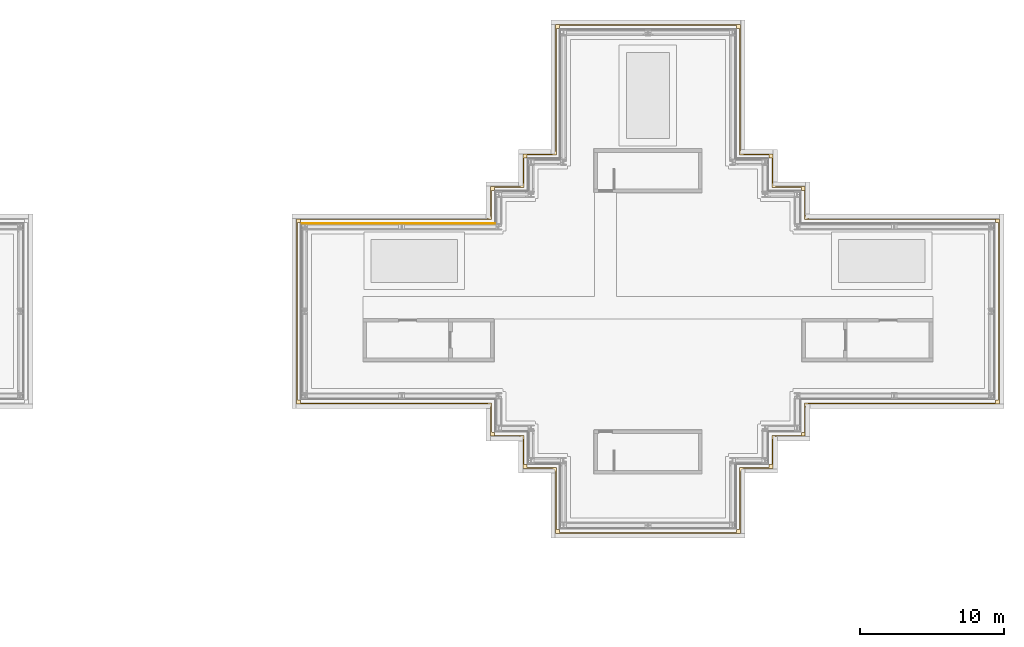
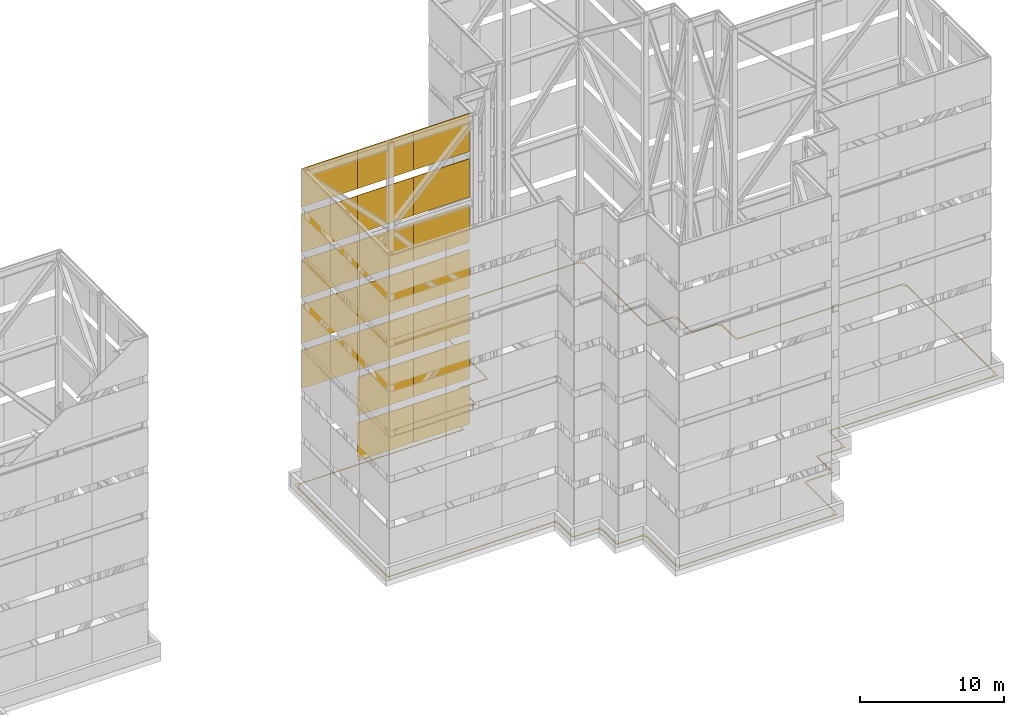
# One storey, part 16 of 19: 20 coverings.
"""IFC4 building model written with IfcOpenShell, lengths in metres."""

import ifcopenshell
import ifcopenshell.guid

model = None  # the IFC model being written
_history = None  # IfcOwnerHistory: only IFC2X3 demands one
_inside = {}  # id of a spatial element -> (the spatial element, [elements in it])
_under = {}  # id of a project, library or spatial element -> (it, [spatial elements below it])
_declared = {}  # id of a project -> (the project, [libraries it declares])
_typed = {}  # id of a type object -> (the type object, [elements of that type])
_made_of = {}  # id of a material, layer set ... -> (it, [elements and type objects made of it])


def new_model(schema):
    """Start an empty IFC model of exactly this schema.

    Asked for "IFC4X3", IfcOpenShell would pick the latest addendum, in which some entities
    have other attributes; the version numbers below select the first issue.
    IFC2X3 requires an IfcOwnerHistory on every rooted entity: one is made here for all.
    """
    global model, _history
    if schema == "IFC4X3":
        model = ifcopenshell.file(schema_version=(4, 3, 0, 0))
    else:
        model = ifcopenshell.file(schema=schema)
    _inside.clear()
    _under.clear()
    _declared.clear()
    _typed.clear()
    _made_of.clear()
    _history = None
    if model.schema == "IFC2X3":
        org = make("IfcOrganization", Name="unknown")
        user = make(
            "IfcPersonAndOrganization",
            ThePerson=make("IfcPerson", FamilyName="unknown"),
            TheOrganization=org,
        )
        app = make(
            "IfcApplication",
            ApplicationDeveloper=org,
            Version="unknown",
            ApplicationFullName="unknown",
            ApplicationIdentifier="unknown",
        )
        _history = make(
            "IfcOwnerHistory",
            OwningUser=user,
            OwningApplication=app,
            ChangeAction="ADDED",
            CreationDate=0,
        )
    return model


def make(cls, **values):
    """One entity of the class cls with the attributes given. An attribute that is None is left unset."""
    return model.create_entity(
        cls, **{name: value for name, value in values.items() if value is not None}
    )


def rooted(cls, **values):
    """An entity with a GlobalId (a new one), such as an element, a storey or a relation."""
    return make(cls, GlobalId=ifcopenshell.guid.new(), OwnerHistory=_history, **values)


def si_unit(unit_type, name, prefix=None):
    """IfcSIUnit, for example si_unit("LENGTHUNIT", "METRE", prefix="MILLI")."""
    return make("IfcSIUnit", UnitType=unit_type, Prefix=prefix, Name=name)


def assignment(units):
    """IfcUnitAssignment: the units of a project."""
    return None if units is None else make("IfcUnitAssignment", Units=units)


def point(xyz):
    """IfcCartesianPoint."""
    return None if xyz is None else make("IfcCartesianPoint", Coordinates=xyz)


def direction(xyz):
    """IfcDirection."""
    return None if xyz is None else make("IfcDirection", DirectionRatios=xyz)


def frame(location, z_axis=None, x_axis=None):
    """IfcAxis2Placement3D, a coordinate frame: its origin and axes. An axis left out is left unset."""
    return make(
        "IfcAxis2Placement3D",
        Location=point(location),
        Axis=direction(z_axis),
        RefDirection=direction(x_axis),
    )


def frame_2d(location, x_axis=None):
    """IfcAxis2Placement2D, a coordinate frame in the plane: its origin and x axis."""
    return make(
        "IfcAxis2Placement2D", Location=point(location), RefDirection=direction(x_axis)
    )


def origin():
    """The frame at (0, 0, 0) with its axes left unset."""
    return frame((0.0, 0.0, 0.0))


def origin_2d():
    """The frame at (0, 0) in the plane with its x axis left unset."""
    return frame_2d((0.0, 0.0))


def place(relative_to, where):
    """IfcLocalPlacement: puts the frame where relative to a parent placement (None: the world)."""
    return make(
        "IfcLocalPlacement", PlacementRelTo=relative_to, RelativePlacement=where
    )


def context(
    kind, dimensions, precision=None, world=None, true_north=None, identifier=None
):
    """IfcGeometricRepresentationContext, for example the 3D "Model" context."""
    return make(
        "IfcGeometricRepresentationContext",
        ContextIdentifier=identifier,
        ContextType=kind,
        CoordinateSpaceDimension=dimensions,
        Precision=precision,
        WorldCoordinateSystem=world,
        TrueNorth=true_north,
    )


def subcontext(parent, identifier, kind, view, scale=None):
    """IfcGeometricRepresentationSubContext, for example "Body" below "Model"."""
    return make(
        "IfcGeometricRepresentationSubContext",
        ContextIdentifier=identifier,
        ContextType=kind,
        ParentContext=parent,
        TargetScale=scale,
        TargetView=view,
    )


def project(units=None, contexts=None):
    """IfcProject with its units and contexts."""
    return rooted(
        "IfcProject",
        Name="project",
        RepresentationContexts=contexts,
        UnitsInContext=assignment(units),
    )


def spatial(cls, under=None, at=None, **own):
    """A site, building, storey or space (cls), placed at a placement, below another one or the project."""
    s = rooted(cls, ObjectPlacement=at, **own)
    if under is not None:
        _under.setdefault(under.id(), (under, []))[1].append(s)
    return s


def polyline(points):
    """IfcPolyline through the points."""
    return make("IfcPolyline", Points=[point(p) for p in points])


def profile(cls, at=None, kind="AREA", **sizes):
    """A parametric profile (cls). Its sizes go by their IFC names, for example OverallWidth=200.0."""
    return make(cls, ProfileType=kind, Position=at, **sizes)


def rectangle(**sizes):
    """IfcRectangleProfileDef."""
    return profile("IfcRectangleProfileDef", **sizes)


def outline(outer, holes=None, kind="AREA"):
    """IfcArbitraryClosedProfileDef: a profile drawn as a closed curve; with holes, ...WithVoids."""
    if holes is None:
        return make("IfcArbitraryClosedProfileDef", ProfileType=kind, OuterCurve=outer)
    return make(
        "IfcArbitraryProfileDefWithVoids",
        ProfileType=kind,
        OuterCurve=outer,
        InnerCurves=holes,
    )


def extrude(swept, where, along, depth):
    """IfcExtrudedAreaSolid: the profile swept, set in the frame where, extruded along a direction by depth."""
    return make(
        "IfcExtrudedAreaSolid",
        SweptArea=swept,
        Position=where,
        ExtrudedDirection=direction(along),
        Depth=depth,
    )


def shape(context_of_items, identifier, shape_type, items):
    """IfcShapeRepresentation: the items that make up one representation, for example the "Body"."""
    return make(
        "IfcShapeRepresentation",
        ContextOfItems=context_of_items,
        RepresentationIdentifier=identifier,
        RepresentationType=shape_type,
        Items=items,
    )


def material(Name=None, Category=None):
    """IfcMaterial."""
    return make("IfcMaterial", Name=Name, Category=Category)


def layer(
    of_material, thickness, ventilated=None, Name=None, Category=None, Priority=None
):
    """IfcMaterialLayer: one layer of a wall or slab, of a material (None: an air gap)."""
    return make(
        "IfcMaterialLayer",
        Material=of_material,
        LayerThickness=thickness,
        IsVentilated=ventilated,
        Name=Name,
        Category=Category,
        Priority=Priority,
    )


def layer_set(layers, Name=None):
    """IfcMaterialLayerSet."""
    return make("IfcMaterialLayerSet", MaterialLayers=layers, LayerSetName=Name)


def made_of(thing, what):
    """Note that an element or type object is made of a material, layer set ...; save() writes the relation."""
    if what is not None:
        _made_of.setdefault(what.id(), (what, []))[1].append(thing)
    return thing


def type_object(cls, material=None, **own):
    """A type object (cls), such as IfcWallType, which elements share."""
    return made_of(rooted(cls, **own), material)


def element(
    cls,
    number,
    at=None,
    inside=None,
    cuts=None,
    type_object=None,
    material=None,
    context=None,
    identifier="Body",
    shape_type=None,
    held_by="IfcProductDefinitionShape",
    body=None,
    shapes=None,
    **own,
):
    """One element of the class cls, such as IfcWall. Its Tag is "e" and its number.

    at: its placement. inside: the storey or other place that contains it. cuts: it is an
    opening in that element (IfcRelVoidsElement). A single representation is given by context,
    identifier, shape_type and body (its items); several are given by shapes. held_by: the class
    of the entity that holds the representations. save() writes the other relations.
    """
    e = rooted(cls, Tag="e%d" % number, ObjectPlacement=at, **own)
    if body is not None:
        shapes = [shape(context, identifier, shape_type, body)]
    if shapes is not None:
        e.Representation = make(held_by, Representations=shapes)
    if inside is not None:
        _inside.setdefault(inside.id(), (inside, []))[1].append(e)
    if cuts is not None:
        rooted(
            "IfcRelVoidsElement", RelatingBuildingElement=cuts, RelatedOpeningElement=e
        )
    if type_object is not None:
        _typed.setdefault(type_object.id(), (type_object, []))[1].append(e)
    return made_of(e, material)


def aggregate(whole, parts):
    """IfcRelAggregates: a whole, such as a stair, and the parts it consists of."""
    return rooted("IfcRelAggregates", RelatingObject=whole, RelatedObjects=parts)


def save(model, path):
    """Write the relations noted so far, then the file.

    IfcRelAggregates (storeys below a building ...), IfcRelContainedInSpatialStructure (elements
    in a storey), IfcRelDefinesByType, IfcRelAssociatesMaterial and IfcRelDeclares: one each for
    every whole, place, type object, material and project.
    """
    for whole, parts in _under.values():
        aggregate(whole, parts)
    for where, things in _inside.values():
        rooted(
            "IfcRelContainedInSpatialStructure",
            RelatedElements=things,
            RelatingStructure=where,
        )
    for kind, things in _typed.values():
        rooted("IfcRelDefinesByType", RelatedObjects=things, RelatingType=kind)
    for what, things in _made_of.values():
        rooted("IfcRelAssociatesMaterial", RelatedObjects=things, RelatingMaterial=what)
    for by, libraries in _declared.values():
        rooted("IfcRelDeclares", RelatingContext=by, RelatedDefinitions=libraries)
    model.write(path)


model = new_model("IFC4")

# Units and contexts
model_context = context("Model", 3, precision=1e-05, world=origin(), true_north=direction((0.0, 1.0)))
body_context = subcontext(model_context, "Body", "Model", "MODEL_VIEW")
ifc_project = project(units=[si_unit("LENGTHUNIT", "METRE"), si_unit("AREAUNIT", "SQUARE_METRE"), si_unit("VOLUMEUNIT", "CUBIC_METRE"), si_unit("PLANEANGLEUNIT", "RADIAN"), si_unit("MASSUNIT", "GRAM", prefix="KILO")], contexts=[model_context])

# Site, building, storey
site_placement = place(None, origin())
site = spatial("IfcSite", under=ifc_project, at=site_placement, CompositionType="ELEMENT")
building_placement = place(site_placement, origin())
building = spatial("IfcBuilding", under=site, at=building_placement, Name="Shamsa Quay Exchange Towers", CompositionType="ELEMENT")
storey_placement = place(building_placement, frame((0.0, 0.0, 284.300048828125)))
storey = spatial("IfcBuildingStorey", under=building, at=storey_placement, Name="Roof", CompositionType="ELEMENT", Elevation=284.300048828125)

# Coverings
ifc_material_1 = material(Name="Aluminium EN AW-5083, dark bronze anodised, perforated", Category="aluminium")
ifc_layer_1 = layer(ifc_material_1, 0.0400390625)
ifc_layer_set_1 = layer_set([ifc_layer_1], Name="CROWN SCREEN PANEL 40")
covering_type_1 = type_object("IfcCoveringType", Name="CROWN SCREEN PANEL 40", PredefinedType="CLADDING", material=ifc_layer_set_1)
for number, where, z_axis, x_axis, name in (
    (1, (20.8818359375, 6.10302734375, 0.60009765625), (0.0, 0.0, 1.0), (-1.0, 0.0, 0.0), "SCREEN T2 CR16 tier 1"),
    (2, (16.39599609375, 6.10302734375, 0.60009765625), (0.0, 0.0, 1.0), (-1.0, 0.0, 0.0), "SCREEN T2 CR16 tier 1"),
    (3, (20.8818359375, 6.10302734375, 4.44287109375), (0.0, 0.0, 1.0), (-1.0, 0.0, 0.0), "SCREEN T2 CR16 tier 2"),
    (4, (16.39599609375, 6.10302734375, 4.44287109375), (0.0, 0.0, 1.0), (-1.0, 0.0, 0.0), "SCREEN T2 CR16 tier 2"),
    (5, (20.8818359375, 6.10302734375, 8.28564453125), (0.0, 0.0, 1.0), (-1.0, 0.0, 0.0), "SCREEN T2 CR16 tier 3"),
    (6, (16.39599609375, 6.10302734375, 8.28564453125), (0.0, 0.0, 1.0), (-1.0, 0.0, 0.0), "SCREEN T2 CR16 tier 3"),
    (7, (11.909912109375, 6.10302734375, 8.28564453125), (0.0, 0.0, 1.0), (-1.0, 0.0, 0.0), "SCREEN T2 CR16 tier 3"),
    (8, (20.8818359375, 6.10302734375, 12.12841796875), (0.0, 0.0, 1.0), (-1.0, 0.0, 0.0), "SCREEN T2 CR16 tier 4"),
    (9, (16.39599609375, 6.10302734375, 12.12841796875), (0.0, 0.0, 1.0), (-1.0, 0.0, 0.0), "SCREEN T2 CR16 tier 4"),
    (10, (11.909912109375, 6.10302734375, 12.12841796875), (0.0, 0.0, 1.0), (-1.0, 0.0, 0.0), "SCREEN T2 CR16 tier 4"),
    (11, (20.8818359375, 6.10302734375, 15.97119140625), (0.0, 0.0, 1.0), (-1.0, 0.0, 0.0), "SCREEN T2 CR16 tier 5"),
    (12, (16.39599609375, 6.10302734375, 15.97119140625), (0.0, 0.0, 1.0), (-1.0, 0.0, 0.0), "SCREEN T2 CR16 tier 5"),
    (13, (11.909912109375, 6.10302734375, 15.97119140625), (0.0, 0.0, 1.0), (-1.0, 0.0, 0.0), "SCREEN T2 CR16 tier 5"),
    (14, (20.8818359375, 6.10302734375, 19.81396484375), (0.0, 0.0, 1.0), (-1.0, 0.0, 0.0), "SCREEN T2 CR16 tier 6"),
    (15, (16.39599609375, 6.10302734375, 19.81396484375), (0.0, 0.0, 1.0), (-1.0, 0.0, 0.0), "SCREEN T2 CR16 tier 6"),
    (16, (11.909912109375, 6.10302734375, 19.81396484375), (0.0, 0.0, 1.0), (-1.0, 0.0, 0.0), "SCREEN T2 CR16 tier 6"),
    (17, (20.8818359375, 6.10302734375, 23.6572265625), (0.0, 0.0, 1.0), (-1.0, 0.0, 0.0), "SCREEN T2 CR16 tier 7"),
    (18, (16.39599609375, 6.10302734375, 23.6572265625), (0.0, 0.0, 1.0), (-1.0, 0.0, 0.0), "SCREEN T2 CR16 tier 7"),
    (19, (11.909912109375, 6.10302734375, 23.6572265625), (0.0, 0.0, 1.0), (-1.0, 0.0, 0.0), "SCREEN T2 CR16 tier 7"),
):
    element("IfcCovering", number, at=place(storey_placement, frame(where, z_axis=z_axis, x_axis=x_axis)), inside=storey, type_object=covering_type_1, Name=name, PredefinedType="CLADDING", context=body_context, shape_type="SweptSolid", body=[
        extrude(rectangle(XDim=4.486083984375, YDim=0.0400390625, at=origin_2d()), origin(), (0.0, 0.0, 1.0), 3.242919921875),
    ])
ifc_material_2 = material(Name="Bituminous waterproofing membrane with ballast")
ifc_layer_2 = layer(ifc_material_2, 0.06005859375)
ifc_layer_set_2 = layer_set([ifc_layer_2], Name="ROOF MEMBRANE 60")
covering_type_2 = type_object("IfcCoveringType", Name="ROOF MEMBRANE 60", PredefinedType="ROOFING", material=ifc_layer_set_2)
covering_placement = place(storey_placement, origin())
element("IfcCovering", 20, at=covering_placement, inside=storey, type_object=covering_type_2, Name="Roof membrane T2 1", PredefinedType="ROOFING", context=body_context, shape_type="SweptSolid", body=[
    extrude(outline(polyline([(42.62744140625, 8.704345703125), (42.6572265625, 8.69384765625), (42.6875, 8.68603515625), (42.71875, 8.681640625), (42.75, 8.679931640625), (44.679931640625, 8.679931640625), (44.679931640625, 6.75), (44.681640625, 6.71875), (44.68603515625, 6.6875), (44.69384765625, 6.6572265625), (44.704345703125, 6.62744140625), (44.7177734375, 6.59912109375), (44.73388671875, 6.572265625), (44.752685546875, 6.546875), (44.773681640625, 6.523681640625), (44.796875, 6.502685546875), (44.822265625, 6.48388671875), (44.84912109375, 6.4677734375), (44.87744140625, 6.454345703125), (44.9072265625, 6.44384765625), (44.9375, 6.43603515625), (44.96875, 6.431640625), (45.0, 6.429931640625), (58.179931640625, 6.429931640625), (58.179931640625, -6.429931640625), (45.0, -6.429931640625), (44.96875, -6.431640625), (44.9375, -6.43603515625), (44.9072265625, -6.44384765625), (44.87744140625, -6.454345703125), (44.84912109375, -6.4677734375), (44.822265625, -6.48388671875), (44.796875, -6.502685546875), (44.773681640625, -6.523681640625), (44.752685546875, -6.546875), (44.73388671875, -6.572265625), (44.7177734375, -6.59912109375), (44.704345703125, -6.62744140625), (44.69384765625, -6.6572265625), (44.68603515625, -6.6875), (44.681640625, -6.71875), (44.679931640625, -6.75), (44.679931640625, -8.679931640625), (42.75, -8.679931640625), (42.71875, -8.681640625), (42.6875, -8.68603515625), (42.6572265625, -8.69384765625), (42.62744140625, -8.704345703125), (42.59912109375, -8.7177734375), (42.572265625, -8.73388671875), (42.546875, -8.752685546875), (42.523681640625, -8.773681640625), (42.502685546875, -8.796875), (42.48388671875, -8.822265625), (42.4677734375, -8.84912109375), (42.454345703125, -8.87744140625), (42.44384765625, -8.9072265625), (42.43603515625, -8.9375), (42.431640625, -8.96875), (42.429931640625, -9.0), (42.429931640625, -10.929931640625), (40.5, -10.929931640625), (40.46875, -10.931640625), (40.4375, -10.93603515625), (40.4072265625, -10.94384765625), (40.37744140625, -10.954345703125), (40.34912109375, -10.9677734375), (40.322265625, -10.98388671875), (40.296875, -11.002685546875), (40.273681640625, -11.023681640625), (40.252685546875, -11.046875), (40.23388671875, -11.072265625), (40.2177734375, -11.09912109375), (40.204345703125, -11.12744140625), (40.19384765625, -11.1572265625), (40.18603515625, -11.1875), (40.181640625, -11.21875), (40.179931640625, -11.25), (40.179931640625, -15.429931640625), (27.320068359375, -15.429931640625), (27.320068359375, -11.25), (27.318359375, -11.21875), (27.31396484375, -11.1875), (27.30615234375, -11.1572265625), (27.295654296875, -11.12744140625), (27.2822265625, -11.09912109375), (27.26611328125, -11.072265625), (27.247314453125, -11.046875), (27.226318359375, -11.023681640625), (27.203125, -11.002685546875), (27.177734375, -10.98388671875), (27.15087890625, -10.9677734375), (27.12255859375, -10.954345703125), (27.0927734375, -10.94384765625), (27.0625, -10.93603515625), (27.03125, -10.931640625), (27.0, -10.929931640625), (25.070068359375, -10.929931640625), (25.070068359375, -9.0), (25.068359375, -8.96875), (25.06396484375, -8.9375), (25.05615234375, -8.9072265625), (25.045654296875, -8.87744140625), (25.0322265625, -8.84912109375), (25.01611328125, -8.822265625), (24.997314453125, -8.796875), (24.976318359375, -8.773681640625), (24.953125, -8.752685546875), (24.927734375, -8.73388671875), (24.90087890625, -8.7177734375), (24.87255859375, -8.704345703125), (24.8427734375, -8.69384765625), (24.8125, -8.68603515625), (24.78125, -8.681640625), (24.75, -8.679931640625), (22.820068359375, -8.679931640625), (22.820068359375, -6.75), (22.818359375, -6.71875), (22.81396484375, -6.6875), (22.80615234375, -6.6572265625), (22.795654296875, -6.62744140625), (22.7822265625, -6.59912109375), (22.76611328125, -6.572265625), (22.747314453125, -6.546875), (22.726318359375, -6.523681640625), (22.703125, -6.502685546875), (22.677734375, -6.48388671875), (22.65087890625, -6.4677734375), (22.62255859375, -6.454345703125), (22.5927734375, -6.44384765625), (22.5625, -6.43603515625), (22.53125, -6.431640625), (22.5, -6.429931640625), (9.320068359375, -6.429931640625), (9.320068359375, 6.429931640625), (22.5, 6.429931640625), (22.53125, 6.431640625), (22.5625, 6.43603515625), (22.5927734375, 6.44384765625), (22.62255859375, 6.454345703125), (22.65087890625, 6.4677734375), (22.677734375, 6.48388671875), (22.703125, 6.502685546875), (22.726318359375, 6.523681640625), (22.747314453125, 6.546875), (22.76611328125, 6.572265625), (22.7822265625, 6.59912109375), (22.795654296875, 6.62744140625), (22.80615234375, 6.6572265625), (22.81396484375, 6.6875), (22.818359375, 6.71875), (22.820068359375, 6.75), (22.820068359375, 8.679931640625), (24.75, 8.679931640625), (24.78125, 8.681640625), (24.8125, 8.68603515625), (24.8427734375, 8.69384765625), (24.87255859375, 8.704345703125), (24.90087890625, 8.7177734375), (24.927734375, 8.73388671875), (24.953125, 8.752685546875), (24.976318359375, 8.773681640625), (24.997314453125, 8.796875), (25.01611328125, 8.822265625), (25.0322265625, 8.84912109375), (25.045654296875, 8.87744140625), (25.05615234375, 8.9072265625), (25.06396484375, 8.9375), (25.068359375, 8.96875), (25.070068359375, 9.0), (25.070068359375, 10.929931640625), (27.0, 10.929931640625), (27.03125, 10.931640625), (27.0625, 10.93603515625), (27.0927734375, 10.94384765625), (27.12255859375, 10.954345703125), (27.15087890625, 10.9677734375), (27.177734375, 10.98388671875), (27.203125, 11.002685546875), (27.226318359375, 11.023681640625), (27.247314453125, 11.046875), (27.26611328125, 11.072265625), (27.2822265625, 11.09912109375), (27.295654296875, 11.12744140625), (27.30615234375, 11.1572265625), (27.31396484375, 11.1875), (27.318359375, 11.21875), (27.320068359375, 11.25), (27.320068359375, 19.929931640625), (40.179931640625, 19.929931640625), (40.179931640625, 11.25), (40.181640625, 11.21875), (40.18603515625, 11.1875), (40.19384765625, 11.1572265625), (40.204345703125, 11.12744140625), (40.2177734375, 11.09912109375), (40.23388671875, 11.072265625), (40.252685546875, 11.046875), (40.273681640625, 11.023681640625), (40.296875, 11.002685546875), (40.322265625, 10.98388671875), (40.34912109375, 10.9677734375), (40.37744140625, 10.954345703125), (40.4072265625, 10.94384765625), (40.4375, 10.93603515625), (40.46875, 10.931640625), (40.5, 10.929931640625), (42.429931640625, 10.929931640625), (42.429931640625, 9.0), (42.431640625, 8.96875), (42.43603515625, 8.9375), (42.44384765625, 8.9072265625), (42.454345703125, 8.87744140625), (42.4677734375, 8.84912109375), (42.48388671875, 8.822265625), (42.502685546875, 8.796875), (42.523681640625, 8.773681640625), (42.546875, 8.752685546875), (42.572265625, 8.73388671875), (42.59912109375, 8.7177734375), (42.62744140625, 8.704345703125)]), holes=[polyline([(39.91455078125, -15.3544921875), (39.9150390625, -15.3525390625), (39.915283203125, -15.3505859375), (39.91552734375, -15.3486328125), (39.91552734375, -15.16064453125), (40.0986328125, -15.16064453125), (40.1005859375, -15.160400390625), (40.1025390625, -15.16015625), (40.1044921875, -15.15966796875), (40.106201171875, -15.158935546875), (40.10791015625, -15.158203125), (40.109619140625, -15.1572265625), (40.111328125, -15.156005859375), (40.11279296875, -15.15478515625), (40.114013671875, -15.1533203125), (40.115234375, -15.151611328125), (40.1162109375, -15.14990234375), (40.1171875, -15.148193359375), (40.11767578125, -15.146240234375), (40.1181640625, -15.14453125), (40.118408203125, -15.142578125), (40.11865234375, -15.140625), (40.11865234375, -10.86865234375), (42.1455078125, -10.86865234375), (42.1474609375, -10.868408203125), (42.1494140625, -10.8681640625), (42.1513671875, -10.86767578125), (42.153076171875, -10.8671875), (42.15478515625, -10.8662109375), (42.156494140625, -10.865234375), (42.158203125, -10.864013671875), (42.15966796875, -10.86279296875), (42.160888671875, -10.861328125), (42.162109375, -10.859619140625), (42.1630859375, -10.85791015625), (42.163818359375, -10.856201171875), (42.16455078125, -10.8544921875), (42.1650390625, -10.8525390625), (42.165283203125, -10.8505859375), (42.16552734375, -10.8486328125), (42.16552734375, -10.66064453125), (42.3486328125, -10.66064453125), (42.3505859375, -10.660400390625), (42.3525390625, -10.66015625), (42.3544921875, -10.65966796875), (42.356201171875, -10.658935546875), (42.35791015625, -10.658203125), (42.359619140625, -10.6572265625), (42.361328125, -10.656005859375), (42.36279296875, -10.65478515625), (42.364013671875, -10.6533203125), (42.365234375, -10.651611328125), (42.3662109375, -10.64990234375), (42.3671875, -10.648193359375), (42.36767578125, -10.646240234375), (42.3681640625, -10.64453125), (42.368408203125, -10.642578125), (42.36865234375, -10.640625), (42.36865234375, -8.61865234375), (44.3955078125, -8.61865234375), (44.3974609375, -8.618408203125), (44.3994140625, -8.6181640625), (44.4013671875, -8.61767578125), (44.403076171875, -8.6171875), (44.40478515625, -8.6162109375), (44.406494140625, -8.615234375), (44.408203125, -8.614013671875), (44.40966796875, -8.61279296875), (44.410888671875, -8.611328125), (44.412109375, -8.609619140625), (44.4130859375, -8.60791015625), (44.413818359375, -8.606201171875), (44.41455078125, -8.6044921875), (44.4150390625, -8.6025390625), (44.415283203125, -8.6005859375), (44.41552734375, -8.5986328125), (44.41552734375, -8.41064453125), (44.5986328125, -8.41064453125), (44.6005859375, -8.410400390625), (44.6025390625, -8.41015625), (44.6044921875, -8.40966796875), (44.606201171875, -8.408935546875), (44.60791015625, -8.408203125), (44.609619140625, -8.4072265625), (44.611328125, -8.406005859375), (44.61279296875, -8.40478515625), (44.614013671875, -8.4033203125), (44.615234375, -8.401611328125), (44.6162109375, -8.39990234375), (44.6171875, -8.398193359375), (44.61767578125, -8.396240234375), (44.6181640625, -8.39453125), (44.618408203125, -8.392578125), (44.61865234375, -8.390625), (44.61865234375, -6.36865234375), (50.6044921875, -6.36865234375), (51.1455078125, -6.36865234375), (57.8955078125, -6.36865234375), (57.8974609375, -6.368408203125), (57.8994140625, -6.3681640625), (57.9013671875, -6.36767578125), (57.903076171875, -6.3671875), (57.90478515625, -6.3662109375), (57.906494140625, -6.365234375), (57.908203125, -6.364013671875), (57.90966796875, -6.36279296875), (57.910888671875, -6.361328125), (57.912109375, -6.359619140625), (57.9130859375, -6.35791015625), (57.913818359375, -6.356201171875), (57.91455078125, -6.3544921875), (57.9150390625, -6.3525390625), (57.915283203125, -6.3505859375), (57.91552734375, -6.3486328125), (57.91552734375, -6.16064453125), (58.0986328125, -6.16064453125), (58.1005859375, -6.160400390625), (58.1025390625, -6.16015625), (58.1044921875, -6.15966796875), (58.106201171875, -6.158935546875), (58.10791015625, -6.158203125), (58.109619140625, -6.1572265625), (58.111328125, -6.156005859375), (58.11279296875, -6.15478515625), (58.114013671875, -6.1533203125), (58.115234375, -6.151611328125), (58.1162109375, -6.14990234375), (58.1171875, -6.148193359375), (58.11767578125, -6.146240234375), (58.1181640625, -6.14453125), (58.118408203125, -6.142578125), (58.11865234375, -6.140625), (58.11865234375, -0.265625), (58.11865234375, 0.265625), (58.11865234375, 6.140625), (58.118408203125, 6.142578125), (58.1181640625, 6.14453125), (58.11767578125, 6.146240234375), (58.1171875, 6.148193359375), (58.1162109375, 6.14990234375), (58.115234375, 6.151611328125), (58.114013671875, 6.1533203125), (58.11279296875, 6.15478515625), (58.111328125, 6.156005859375), (58.109619140625, 6.1572265625), (58.10791015625, 6.158203125), (58.106201171875, 6.158935546875), (58.1044921875, 6.15966796875), (58.1025390625, 6.16015625), (58.1005859375, 6.160400390625), (58.0986328125, 6.16064453125), (57.91552734375, 6.16064453125), (57.91552734375, 6.3486328125), (57.915283203125, 6.3505859375), (57.9150390625, 6.3525390625), (57.91455078125, 6.3544921875), (57.913818359375, 6.356201171875), (57.9130859375, 6.35791015625), (57.912109375, 6.359619140625), (57.910888671875, 6.361328125), (57.90966796875, 6.36279296875), (57.908203125, 6.364013671875), (57.906494140625, 6.365234375), (57.90478515625, 6.3662109375), (57.903076171875, 6.3671875), (57.9013671875, 6.36767578125), (57.8994140625, 6.3681640625), (57.8974609375, 6.368408203125), (57.8955078125, 6.36865234375), (51.1455078125, 6.36865234375), (50.6044921875, 6.36865234375), (44.61865234375, 6.36865234375), (44.61865234375, 8.390625), (44.618408203125, 8.392578125), (44.6181640625, 8.39453125), (44.61767578125, 8.396240234375), (44.6171875, 8.398193359375), (44.6162109375, 8.39990234375), (44.615234375, 8.401611328125), (44.614013671875, 8.4033203125), (44.61279296875, 8.40478515625), (44.611328125, 8.406005859375), (44.609619140625, 8.4072265625), (44.60791015625, 8.408203125), (44.606201171875, 8.408935546875), (44.6044921875, 8.40966796875), (44.6025390625, 8.41015625), (44.6005859375, 8.410400390625), (44.5986328125, 8.41064453125), (44.41552734375, 8.41064453125), (44.41552734375, 8.5986328125), (44.415283203125, 8.6005859375), (44.4150390625, 8.6025390625), (44.41455078125, 8.6044921875), (44.413818359375, 8.606201171875), (44.4130859375, 8.60791015625), (44.412109375, 8.609619140625), (44.410888671875, 8.611328125), (44.40966796875, 8.61279296875), (44.408203125, 8.614013671875), (44.406494140625, 8.615234375), (44.40478515625, 8.6162109375), (44.403076171875, 8.6171875), (44.4013671875, 8.61767578125), (44.3994140625, 8.6181640625), (44.3974609375, 8.618408203125), (44.3955078125, 8.61865234375), (42.36865234375, 8.61865234375), (42.36865234375, 10.640625), (42.368408203125, 10.642578125), (42.3681640625, 10.64453125), (42.36767578125, 10.646240234375), (42.3671875, 10.648193359375), (42.3662109375, 10.64990234375), (42.365234375, 10.651611328125), (42.364013671875, 10.6533203125), (42.36279296875, 10.65478515625), (42.361328125, 10.656005859375), (42.359619140625, 10.6572265625), (42.35791015625, 10.658203125), (42.356201171875, 10.658935546875), (42.3544921875, 10.65966796875), (42.3525390625, 10.66015625), (42.3505859375, 10.660400390625), (42.3486328125, 10.66064453125), (42.16552734375, 10.66064453125), (42.16552734375, 10.8486328125), (42.165283203125, 10.8505859375), (42.1650390625, 10.8525390625), (42.16455078125, 10.8544921875), (42.163818359375, 10.856201171875), (42.1630859375, 10.85791015625), (42.162109375, 10.859619140625), (42.160888671875, 10.861328125), (42.15966796875, 10.86279296875), (42.158203125, 10.864013671875), (42.156494140625, 10.865234375), (42.15478515625, 10.8662109375), (42.153076171875, 10.8671875), (42.1513671875, 10.86767578125), (42.1494140625, 10.8681640625), (42.1474609375, 10.868408203125), (42.1455078125, 10.86865234375), (40.11865234375, 10.86865234375), (40.11865234375, 19.640625), (40.118408203125, 19.642578125), (40.1181640625, 19.64453125), (40.11767578125, 19.646240234375), (40.1171875, 19.648193359375), (40.1162109375, 19.64990234375), (40.115234375, 19.651611328125), (40.114013671875, 19.6533203125), (40.11279296875, 19.65478515625), (40.111328125, 19.656005859375), (40.109619140625, 19.6572265625), (40.10791015625, 19.658203125), (40.106201171875, 19.658935546875), (40.1044921875, 19.65966796875), (40.1025390625, 19.66015625), (40.1005859375, 19.660400390625), (40.0986328125, 19.66064453125), (39.91552734375, 19.66064453125), (39.91552734375, 19.8486328125), (39.915283203125, 19.8505859375), (39.9150390625, 19.8525390625), (39.91455078125, 19.8544921875), (39.913818359375, 19.856201171875), (39.9130859375, 19.85791015625), (39.912109375, 19.859619140625), (39.910888671875, 19.861328125), (39.90966796875, 19.86279296875), (39.908203125, 19.864013671875), (39.906494140625, 19.865234375), (39.90478515625, 19.8662109375), (39.903076171875, 19.8671875), (39.9013671875, 19.86767578125), (39.8994140625, 19.8681640625), (39.8974609375, 19.868408203125), (39.8955078125, 19.86865234375), (34.0205078125, 19.86865234375), (33.4794921875, 19.86865234375), (27.6044921875, 19.86865234375), (27.6025390625, 19.868408203125), (27.6005859375, 19.8681640625), (27.5986328125, 19.86767578125), (27.596923828125, 19.8671875), (27.59521484375, 19.8662109375), (27.593505859375, 19.865234375), (27.591796875, 19.864013671875), (27.59033203125, 19.86279296875), (27.589111328125, 19.861328125), (27.587890625, 19.859619140625), (27.5869140625, 19.85791015625), (27.586181640625, 19.856201171875), (27.58544921875, 19.8544921875), (27.5849609375, 19.8525390625), (27.584716796875, 19.8505859375), (27.58447265625, 19.8486328125), (27.58447265625, 19.66064453125), (27.4013671875, 19.66064453125), (27.3994140625, 19.660400390625), (27.3974609375, 19.66015625), (27.3955078125, 19.65966796875), (27.393798828125, 19.658935546875), (27.39208984375, 19.658203125), (27.390380859375, 19.6572265625), (27.388671875, 19.656005859375), (27.38720703125, 19.65478515625), (27.385986328125, 19.6533203125), (27.384765625, 19.651611328125), (27.3837890625, 19.64990234375), (27.3828125, 19.648193359375), (27.38232421875, 19.646240234375), (27.3818359375, 19.64453125), (27.381591796875, 19.642578125), (27.38134765625, 19.640625), (27.38134765625, 10.86865234375), (25.3544921875, 10.86865234375), (25.3525390625, 10.868408203125), (25.3505859375, 10.8681640625), (25.3486328125, 10.86767578125), (25.346923828125, 10.8671875), (25.34521484375, 10.8662109375), (25.343505859375, 10.865234375), (25.341796875, 10.864013671875), (25.34033203125, 10.86279296875), (25.339111328125, 10.861328125), (25.337890625, 10.859619140625), (25.3369140625, 10.85791015625), (25.336181640625, 10.856201171875), (25.33544921875, 10.8544921875), (25.3349609375, 10.8525390625), (25.334716796875, 10.8505859375), (25.33447265625, 10.8486328125), (25.33447265625, 10.66064453125), (25.1513671875, 10.66064453125), (25.1494140625, 10.660400390625), (25.1474609375, 10.66015625), (25.1455078125, 10.65966796875), (25.143798828125, 10.658935546875), (25.14208984375, 10.658203125), (25.140380859375, 10.6572265625), (25.138671875, 10.656005859375), (25.13720703125, 10.65478515625), (25.135986328125, 10.6533203125), (25.134765625, 10.651611328125), (25.1337890625, 10.64990234375), (25.1328125, 10.648193359375), (25.13232421875, 10.646240234375), (25.1318359375, 10.64453125), (25.131591796875, 10.642578125), (25.13134765625, 10.640625), (25.13134765625, 8.61865234375), (23.1044921875, 8.61865234375), (23.1025390625, 8.618408203125), (23.1005859375, 8.6181640625), (23.0986328125, 8.61767578125), (23.096923828125, 8.6171875), (23.09521484375, 8.6162109375), (23.093505859375, 8.615234375), (23.091796875, 8.614013671875), (23.09033203125, 8.61279296875), (23.089111328125, 8.611328125), (23.087890625, 8.609619140625), (23.0869140625, 8.60791015625), (23.086181640625, 8.606201171875), (23.08544921875, 8.6044921875), (23.0849609375, 8.6025390625), (23.084716796875, 8.6005859375), (23.08447265625, 8.5986328125), (23.08447265625, 8.41064453125), (22.9013671875, 8.41064453125), (22.8994140625, 8.410400390625), (22.8974609375, 8.41015625), (22.8955078125, 8.40966796875), (22.893798828125, 8.408935546875), (22.89208984375, 8.408203125), (22.890380859375, 8.4072265625), (22.888671875, 8.406005859375), (22.88720703125, 8.40478515625), (22.885986328125, 8.4033203125), (22.884765625, 8.401611328125), (22.8837890625, 8.39990234375), (22.8828125, 8.398193359375), (22.88232421875, 8.396240234375), (22.8818359375, 8.39453125), (22.881591796875, 8.392578125), (22.88134765625, 8.390625), (22.88134765625, 6.36865234375), (16.8955078125, 6.36865234375), (16.3544921875, 6.36865234375), (9.6044921875, 6.36865234375), (9.6025390625, 6.368408203125), (9.6005859375, 6.3681640625), (9.5986328125, 6.36767578125), (9.596923828125, 6.3671875), (9.59521484375, 6.3662109375), (9.593505859375, 6.365234375), (9.591796875, 6.364013671875), (9.59033203125, 6.36279296875), (9.589111328125, 6.361328125), (9.587890625, 6.359619140625), (9.5869140625, 6.35791015625), (9.586181640625, 6.356201171875), (9.58544921875, 6.3544921875), (9.5849609375, 6.3525390625), (9.584716796875, 6.3505859375), (9.58447265625, 6.3486328125), (9.58447265625, 6.16064453125), (9.4013671875, 6.16064453125), (9.3994140625, 6.160400390625), (9.3974609375, 6.16015625), (9.3955078125, 6.15966796875), (9.393798828125, 6.158935546875), (9.39208984375, 6.158203125), (9.390380859375, 6.1572265625), (9.388671875, 6.156005859375), (9.38720703125, 6.15478515625), (9.385986328125, 6.1533203125), (9.384765625, 6.151611328125), (9.3837890625, 6.14990234375), (9.3828125, 6.148193359375), (9.38232421875, 6.146240234375), (9.3818359375, 6.14453125), (9.381591796875, 6.142578125), (9.38134765625, 6.140625), (9.38134765625, 0.265625), (9.38134765625, -0.265625), (9.38134765625, -6.140625), (9.381591796875, -6.142578125), (9.3818359375, -6.14453125), (9.38232421875, -6.146240234375), (9.3828125, -6.148193359375), (9.3837890625, -6.14990234375), (9.384765625, -6.151611328125), (9.385986328125, -6.1533203125), (9.38720703125, -6.15478515625), (9.388671875, -6.156005859375), (9.390380859375, -6.1572265625), (9.39208984375, -6.158203125), (9.393798828125, -6.158935546875), (9.3955078125, -6.15966796875), (9.3974609375, -6.16015625), (9.3994140625, -6.160400390625), (9.4013671875, -6.16064453125), (9.58447265625, -6.16064453125), (9.58447265625, -6.3486328125), (9.584716796875, -6.3505859375), (9.5849609375, -6.3525390625), (9.58544921875, -6.3544921875), (9.586181640625, -6.356201171875), (9.5869140625, -6.35791015625), (9.587890625, -6.359619140625), (9.589111328125, -6.361328125), (9.59033203125, -6.36279296875), (9.591796875, -6.364013671875), (9.593505859375, -6.365234375), (9.59521484375, -6.3662109375), (9.596923828125, -6.3671875), (9.5986328125, -6.36767578125), (9.6005859375, -6.3681640625), (9.6025390625, -6.368408203125), (9.6044921875, -6.36865234375), (16.3544921875, -6.36865234375), (16.8955078125, -6.36865234375), (22.88134765625, -6.36865234375), (22.88134765625, -8.390625), (22.881591796875, -8.392578125), (22.8818359375, -8.39453125), (22.88232421875, -8.396240234375), (22.8828125, -8.398193359375), (22.8837890625, -8.39990234375), (22.884765625, -8.401611328125), (22.885986328125, -8.4033203125), (22.88720703125, -8.40478515625), (22.888671875, -8.406005859375), (22.890380859375, -8.4072265625), (22.89208984375, -8.408203125), (22.893798828125, -8.408935546875), (22.8955078125, -8.40966796875), (22.8974609375, -8.41015625), (22.8994140625, -8.410400390625), (22.9013671875, -8.41064453125), (23.08447265625, -8.41064453125), (23.08447265625, -8.5986328125), (23.084716796875, -8.6005859375), (23.0849609375, -8.6025390625), (23.08544921875, -8.6044921875), (23.086181640625, -8.606201171875), (23.0869140625, -8.60791015625), (23.087890625, -8.609619140625), (23.089111328125, -8.611328125), (23.09033203125, -8.61279296875), (23.091796875, -8.614013671875), (23.093505859375, -8.615234375), (23.09521484375, -8.6162109375), (23.096923828125, -8.6171875), (23.0986328125, -8.61767578125), (23.1005859375, -8.6181640625), (23.1025390625, -8.618408203125), (23.1044921875, -8.61865234375), (25.13134765625, -8.61865234375), (25.13134765625, -10.640625), (25.131591796875, -10.642578125), (25.1318359375, -10.64453125), (25.13232421875, -10.646240234375), (25.1328125, -10.648193359375), (25.1337890625, -10.64990234375), (25.134765625, -10.651611328125), (25.135986328125, -10.6533203125), (25.13720703125, -10.65478515625), (25.138671875, -10.656005859375), (25.140380859375, -10.6572265625), (25.14208984375, -10.658203125), (25.143798828125, -10.658935546875), (25.1455078125, -10.65966796875), (25.1474609375, -10.66015625), (25.1494140625, -10.660400390625), (25.1513671875, -10.66064453125), (25.33447265625, -10.66064453125), (25.33447265625, -10.8486328125), (25.334716796875, -10.8505859375), (25.3349609375, -10.8525390625), (25.33544921875, -10.8544921875), (25.336181640625, -10.856201171875), (25.3369140625, -10.85791015625), (25.337890625, -10.859619140625), (25.339111328125, -10.861328125), (25.34033203125, -10.86279296875), (25.341796875, -10.864013671875), (25.343505859375, -10.865234375), (25.34521484375, -10.8662109375), (25.346923828125, -10.8671875), (25.3486328125, -10.86767578125), (25.3505859375, -10.8681640625), (25.3525390625, -10.868408203125), (25.3544921875, -10.86865234375), (27.38134765625, -10.86865234375), (27.38134765625, -15.140625), (27.381591796875, -15.142578125), (27.3818359375, -15.14453125), (27.38232421875, -15.146240234375), (27.3828125, -15.148193359375), (27.3837890625, -15.14990234375), (27.384765625, -15.151611328125), (27.385986328125, -15.1533203125), (27.38720703125, -15.15478515625), (27.388671875, -15.156005859375), (27.390380859375, -15.1572265625), (27.39208984375, -15.158203125), (27.393798828125, -15.158935546875), (27.3955078125, -15.15966796875), (27.3974609375, -15.16015625), (27.3994140625, -15.160400390625), (27.4013671875, -15.16064453125), (27.58447265625, -15.16064453125), (27.58447265625, -15.3486328125), (27.584716796875, -15.3505859375), (27.5849609375, -15.3525390625), (27.58544921875, -15.3544921875), (27.586181640625, -15.356201171875), (27.5869140625, -15.35791015625), (27.587890625, -15.359619140625), (27.589111328125, -15.361328125), (27.59033203125, -15.36279296875), (27.591796875, -15.364013671875), (27.593505859375, -15.365234375), (27.59521484375, -15.3662109375), (27.596923828125, -15.3671875), (27.5986328125, -15.36767578125), (27.6005859375, -15.3681640625), (27.6025390625, -15.368408203125), (27.6044921875, -15.36865234375), (33.4794921875, -15.36865234375), (34.0205078125, -15.36865234375), (39.8955078125, -15.36865234375), (39.8974609375, -15.368408203125), (39.8994140625, -15.3681640625), (39.9013671875, -15.36767578125), (39.903076171875, -15.3671875), (39.90478515625, -15.3662109375), (39.906494140625, -15.365234375), (39.908203125, -15.364013671875), (39.90966796875, -15.36279296875), (39.910888671875, -15.361328125), (39.912109375, -15.359619140625), (39.9130859375, -15.35791015625), (39.913818359375, -15.356201171875), (39.91455078125, -15.3544921875)])]), origin(), (0.0, 0.0, 1.0), 0.06005859375),
])

save(model, "model.ifc")
